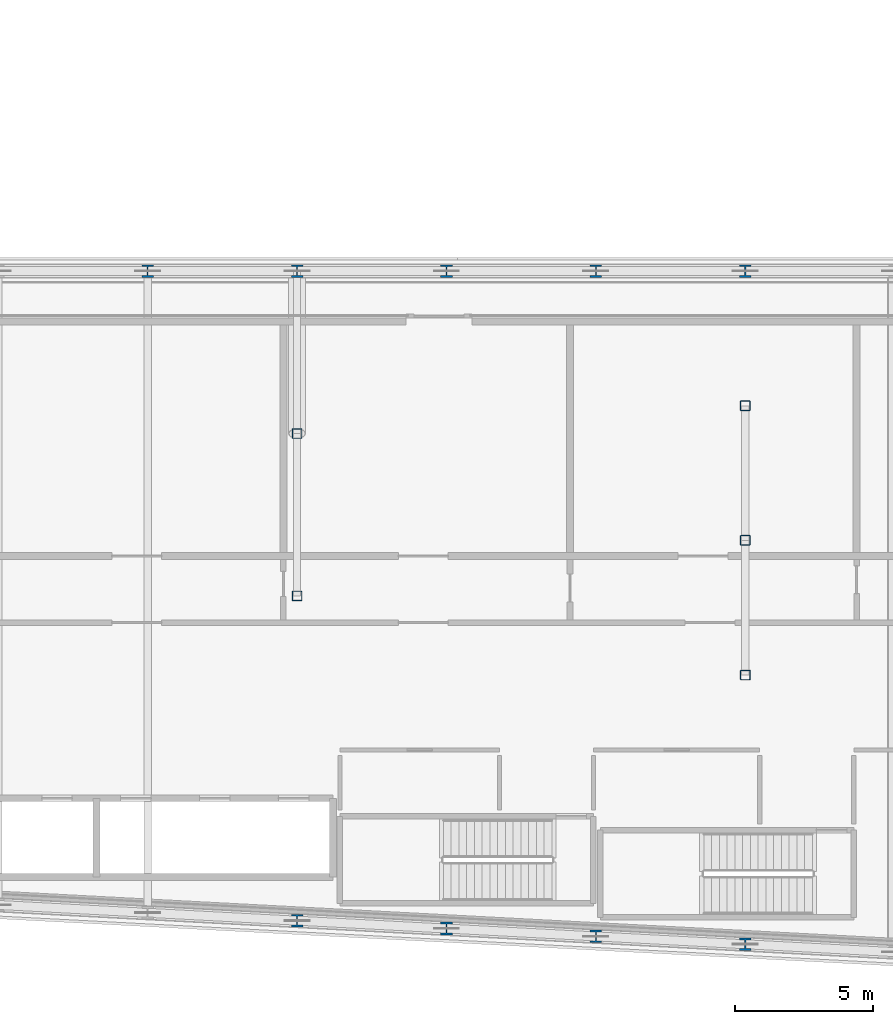
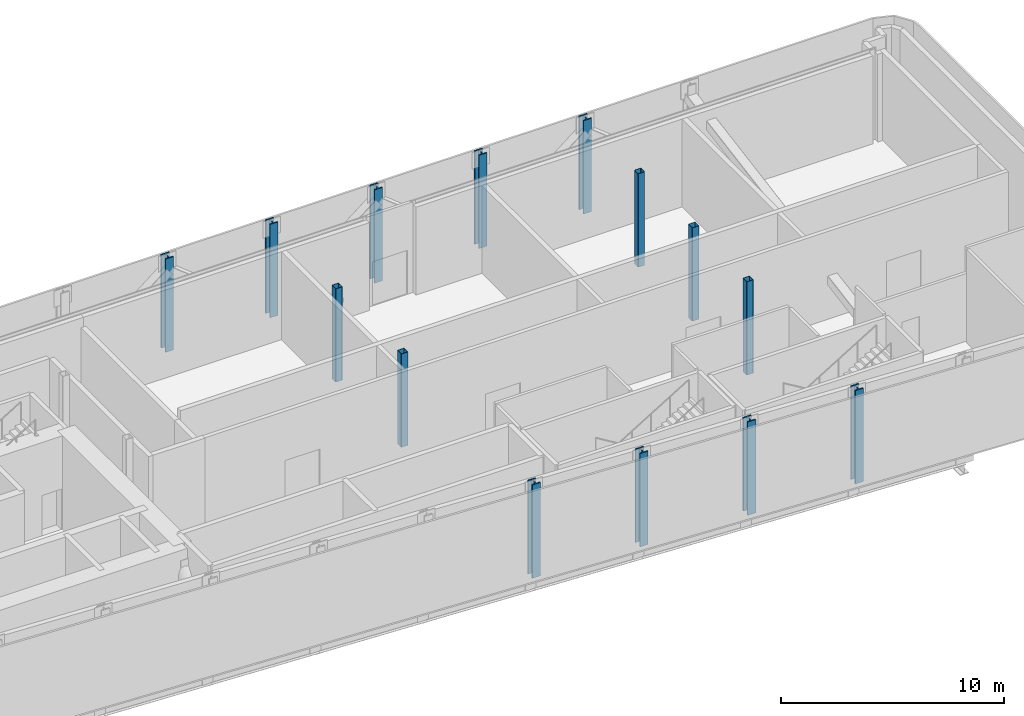
# One storey, part 2 of 30: 14 columns.
"""IFC4 building model written with IfcOpenShell, lengths in metres."""

from ifc_helpers import new_model, si_unit, direction, frame, origin, origin_2d, place, context, subcontext, project, spatial, hollow_rectangle, i_section, extrude, material, material_profile, profile_set, type_object, element, save


model = new_model("IFC4")

# Units and contexts
model_context = context("Model", 3, precision=1e-05, world=origin(), true_north=direction((0.0, 1.0)))
body_context = subcontext(model_context, "Body", "Model", "MODEL_VIEW")
ifc_project = project(units=[si_unit("LENGTHUNIT", "METRE"), si_unit("AREAUNIT", "SQUARE_METRE"), si_unit("VOLUMEUNIT", "CUBIC_METRE"), si_unit("PLANEANGLEUNIT", "RADIAN"), si_unit("MASSUNIT", "GRAM", prefix="KILO")], contexts=[model_context])

# Site, building, storey
site_placement = place(None, origin())
site = spatial("IfcSite", under=ifc_project, at=site_placement, CompositionType="ELEMENT")
building_placement = place(site_placement, origin())
building = spatial("IfcBuilding", under=site, at=building_placement, Name="Kheshtan School and Residences Tower", CompositionType="ELEMENT")
storey_placement = place(building_placement, frame((0.0, 0.0, 89.0)))
storey = spatial("IfcBuildingStorey", under=building, at=storey_placement, Name="L20", CompositionType="ELEMENT", Elevation=89.0)

# Columns
ifc_material_1 = material(Name="Steel ASTM A992 Grade 50", Category="steel")
ifc_material_profile_1 = material_profile(ifc_material_1, i_section(OverallWidth=0.41796875, OverallDepth=0.455078125, WebThickness=0.042236328125, FlangeThickness=0.067626953125, FilletRadius=0.013671875, at=origin_2d()), Name="W360x551")
ifc_profile_set_1 = profile_set([ifc_material_profile_1], Name="Steel ASTM A992 Grade 50")
column_type_1 = type_object("IfcColumnType", Name="Column C2 W360x551 ASTM A992 Grade 50", PredefinedType="COLUMN", material=ifc_profile_set_1)
for number, where, z_axis, x_axis, name in (
    (1, (85.39990234375, 21.27392578125, 0.0), (0.0, 0.0, 1.0), (1.0, 0.0, 0.0), "Column C008"),
    (2, (80.0, 21.55810546875, 0.0), (0.0, 0.0, 1.0), (1.0, 0.0, 0.0), "Column C012"),
    (3, (74.60009765625, 21.843017578125, 0.0), (0.0, 0.0, 1.0), (1.0, 0.0, 0.0), "Column C013"),
    (4, (69.199951171875, 22.126953125, 0.0), (0.0, 0.0, 1.0), (1.0, 0.0, 0.0), "Column C014"),
    (5, (63.800048828125, 45.60009765625, 0.0), (0.0, 0.0, 1.0), (1.0, 0.0, 0.0), "Column C063"),
    (6, (69.199951171875, 45.60009765625, 0.0), (0.0, 0.0, 1.0), (1.0, 0.0, 0.0), "Column C064"),
    (7, (74.60009765625, 45.60009765625, 0.0), (0.0, 0.0, 1.0), (1.0, 0.0, 0.0), "Column C065"),
    (8, (80.0, 45.60009765625, 0.0), (0.0, 0.0, 1.0), (1.0, 0.0, 0.0), "Column C066"),
    (9, (85.39990234375, 45.60009765625, 0.0), (0.0, 0.0, 1.0), (1.0, 0.0, 0.0), "Column C067"),
):
    element("IfcColumn", number, at=place(storey_placement, frame(where, z_axis=z_axis, x_axis=x_axis)), inside=storey, type_object=column_type_1, Name=name, PredefinedType="COLUMN", context=body_context, shape_type="SweptSolid", body=[
        extrude(i_section(OverallWidth=0.41796875, OverallDepth=0.455078125, WebThickness=0.042236328125, FlangeThickness=0.067626953125, FilletRadius=0.013671875, at=origin_2d()), origin(), (0.0, 0.0, 1.0), 5.10009765625),
    ])
ifc_material_2 = material(Name="Steel ASTM A500 Grade C", Category="steel")
ifc_material_profile_2 = material_profile(ifc_material_2, hollow_rectangle(XDim=0.35595703125, YDim=0.35595703125, WallThickness=0.015869140625, InnerFilletRadius=0.015869140625, OuterFilletRadius=0.03173828125, at=origin_2d()), Name="HSS 356x356x15.9")
ifc_profile_set_2 = profile_set([ifc_material_profile_2], Name="Steel ASTM A500 Grade C")
column_type_2 = type_object("IfcColumnType", Name="Column IC1 HSS 356x356x15.9 ASTM A500 Grade C", PredefinedType="COLUMN", material=ifc_profile_set_2)
for number, where, z_axis, x_axis, name in (
    (10, (85.39990234375, 31.0048828125, 0.0), (0.0, 0.0, 1.0), (1.0, 0.0, 0.0), "Column C049"),
    (11, (69.199951171875, 33.863037109375, 0.0), (0.0, 0.0, 1.0), (1.0, 0.0, 0.0), "Column C050"),
    (12, (85.39990234375, 35.8701171875, 0.0), (0.0, 0.0, 1.0), (1.0, 0.0, 0.0), "Column C053"),
    (13, (69.199951171875, 39.73193359375, 0.0), (0.0, 0.0, 1.0), (1.0, 0.0, 0.0), "Column C054"),
    (14, (85.39990234375, 40.735107421875, 0.0), (0.0, 0.0, 1.0), (1.0, 0.0, 0.0), "Column C057"),
):
    element("IfcColumn", number, at=place(storey_placement, frame(where, z_axis=z_axis, x_axis=x_axis)), inside=storey, type_object=column_type_2, Name=name, PredefinedType="COLUMN", context=body_context, shape_type="SweptSolid", body=[
        extrude(hollow_rectangle(XDim=0.35595703125, YDim=0.35595703125, WallThickness=0.015869140625, InnerFilletRadius=0.015869140625, OuterFilletRadius=0.03173828125, at=origin_2d()), origin(), (0.0, 0.0, 1.0), 5.10009765625),
    ])

save(model, "model.ifc")
